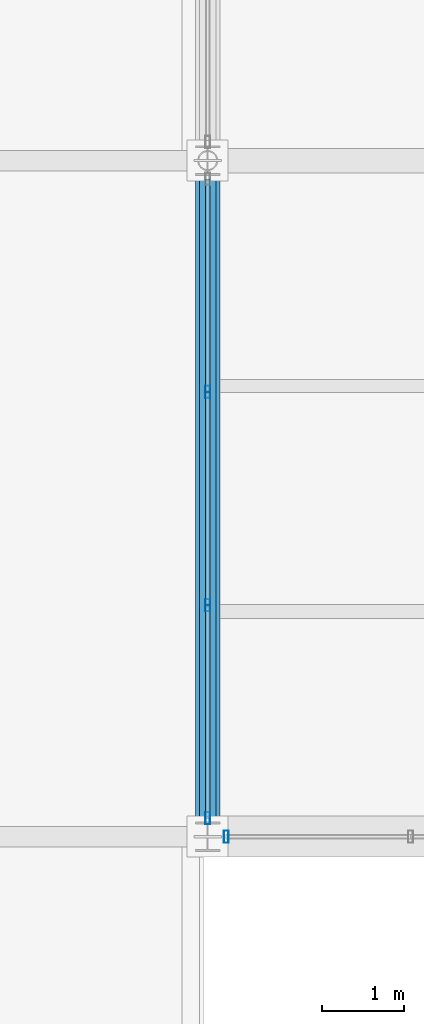
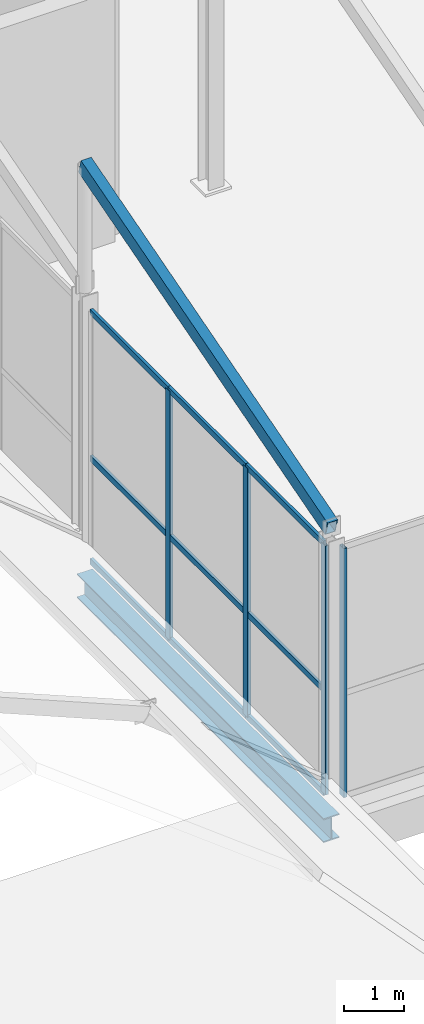
# One storey, part 14 of 141: 14 members, 1 beam, 2 elements without a shape of their own.
"""IFC4 building model written with IfcOpenShell, lengths in metres."""

from ifc_helpers import new_model, si_unit, direction, frame, origin, origin_2d, place, context, subcontext, project, spatial, hollow_rectangle, i_section, extrude, material, layer, layer_set, material_profile, profile_set, type_object, element, aggregate, save


model = new_model("IFC4")

# Units and contexts
model_context = context("Model", 3, precision=1e-05, world=origin(), true_north=direction((0.0, 1.0)))
body_context = subcontext(model_context, "Body", "Model", "MODEL_VIEW")
ifc_project = project(units=[si_unit("LENGTHUNIT", "METRE"), si_unit("AREAUNIT", "SQUARE_METRE"), si_unit("VOLUMEUNIT", "CUBIC_METRE"), si_unit("PLANEANGLEUNIT", "RADIAN"), si_unit("MASSUNIT", "GRAM", prefix="KILO")], contexts=[model_context])

# Site, building, storey
site_placement = place(None, origin())
site = spatial("IfcSite", under=ifc_project, at=site_placement, CompositionType="ELEMENT")
building_placement = place(site_placement, origin())
building = spatial("IfcBuilding", under=site, at=building_placement, Name="Sundgate Opera House", CompositionType="ELEMENT")
storey_placement = place(building_placement, frame((0.0, 0.0, 11.39990234375)))
storey = spatial("IfcBuildingStorey", under=building, at=storey_placement, Name="L02", CompositionType="ELEMENT", Elevation=11.39990234375)

# Beam
ifc_material_1 = material(Name="Steel S355J2", Category="steel")
ifc_material_profile_1 = material_profile(ifc_material_1, i_section(OverallWidth=0.300048828125, OverallDepth=0.489990234375, WebThickness=0.011962890625, FlangeThickness=0.02294921875, at=origin_2d()), Name="HEA 500")
ifc_profile_set_1 = profile_set([ifc_material_profile_1], Name="Steel S355J2")
beam_type = type_object("IfcBeamType", Name="BM-GR-HEA500", PredefinedType="BEAM", material=ifc_profile_set_1)
beam_placement = place(storey_placement, frame((95.39990234375, 8.25, -0.594970703125), z_axis=(0.0, 1.0, 0.0), x_axis=(-1.0, 0.0, 0.0)))
element("IfcBeam", 1, at=beam_placement, inside=storey, type_object=beam_type, Name="L02 Primary N-S Girder B1844", PredefinedType="BEAM", context=body_context, shape_type="SweptSolid", body=[
    extrude(i_section(OverallWidth=0.300048828125, OverallDepth=0.489990234375, WebThickness=0.011962890625, FlangeThickness=0.02294921875, at=origin_2d()), origin(), (0.0, 0.0, 1.0), 8.25),
])

# Curtain wall, member
ifc_material_2 = material(Name="Anodized aluminium and low-iron glass", Category="aluminium")
ifc_layer = layer(ifc_material_2, 0.14990234375)
ifc_layer_set = layer_set([ifc_layer], Name="Anodized aluminium and low-iron glass")
curtain_wall_type = type_object("IfcCurtainWallType", Name="CW-WORKSHOP-DARK", PredefinedType="NOTDEFINED", material=ifc_layer_set)
curtain_wall_1_placement = place(storey_placement, origin())
curtain_wall_1 = element("IfcCurtainWall", 2, at=curtain_wall_1_placement, inside=storey, type_object=curtain_wall_type, Name="L02 Curtain Wall CW154", PredefinedType="NOTDEFINED")
ifc_material_3 = material(Name="Anodized aluminium EN AW-6063", Category="aluminium")
ifc_material_profile_2 = material_profile(ifc_material_3, hollow_rectangle(XDim=0.06005859375, YDim=0.14990234375, WallThickness=0.00390625, at=origin_2d()), Name="CWM 150x60x4")
ifc_profile_set_2 = profile_set([ifc_material_profile_2], Name="Anodized aluminium EN AW-6063")
member_type_1 = type_object("IfcMemberType", Name="CWM-ALU-150x60", PredefinedType="MULLION", material=ifc_profile_set_2)
member_1_placement = place(storey_placement, frame((95.625, 8.25, 0.0), z_axis=(0.0, 0.0, 1.0), x_axis=(1.0, 0.0, 0.0)))
member_1 = element("IfcMember", 3, at=member_1_placement, type_object=member_type_1, Name="CW154 Mullion 4", PredefinedType="MULLION", context=body_context, shape_type="SweptSolid", body=[
    extrude(hollow_rectangle(XDim=0.06005859375, YDim=0.14990234375, WallThickness=0.00390625, at=origin_2d()), origin(), (0.0, 0.0, 1.0), 5.085205078125),
])
aggregate(curtain_wall_1, [member_1])

# Curtain wall, members
curtain_wall_2_placement = place(storey_placement, origin())
curtain_wall_2 = element("IfcCurtainWall", 4, at=curtain_wall_2_placement, inside=storey, type_object=curtain_wall_type, Name="L02 Curtain Wall CW162", PredefinedType="NOTDEFINED")
member_2_placement = place(storey_placement, frame((95.39990234375, 13.675048828125, 0.0), z_axis=(0.0, 0.0, 1.0), x_axis=(1.0, 0.0, 0.0)))
member_2 = element("IfcMember", 5, at=member_2_placement, type_object=member_type_1, Name="CW162 Mullion 2", PredefinedType="MULLION", context=body_context, shape_type="SweptSolid", body=[
    extrude(hollow_rectangle(XDim=0.06005859375, YDim=0.14990234375, WallThickness=0.00390625, at=origin_2d()), origin(), (0.0, 0.0, 1.0), 5.085205078125),
])
member_3_placement = place(storey_placement, frame((95.39990234375, 11.074951171875, 0.0), z_axis=(0.0, 0.0, 1.0), x_axis=(1.0, 0.0, 0.0)))
member_3 = element("IfcMember", 6, at=member_3_placement, type_object=member_type_1, Name="CW162 Mullion 3", PredefinedType="MULLION", context=body_context, shape_type="SweptSolid", body=[
    extrude(hollow_rectangle(XDim=0.06005859375, YDim=0.14990234375, WallThickness=0.00390625, at=origin_2d()), origin(), (0.0, 0.0, 1.0), 5.085205078125),
])
member_4_placement = place(storey_placement, frame((95.39990234375, 8.47509765625, 0.0), z_axis=(0.0, 0.0, 1.0), x_axis=(1.0, 0.0, 0.0)))
member_4 = element("IfcMember", 7, at=member_4_placement, type_object=member_type_1, Name="CW162 Mullion 4", PredefinedType="MULLION", context=body_context, shape_type="SweptSolid", body=[
    extrude(hollow_rectangle(XDim=0.06005859375, YDim=0.14990234375, WallThickness=0.00390625, at=origin_2d()), origin(), (0.0, 0.0, 1.0), 5.085205078125),
])
ifc_material_4 = material(Name="Anodized aluminium EN AW-6063", Category="aluminium")
ifc_material_profile_3 = material_profile(ifc_material_4, hollow_rectangle(XDim=0.054931640625, YDim=0.1201171875, WallThickness=0.00390625, at=origin_2d()), Name="CWT 120x55x4")
ifc_profile_set_3 = profile_set([ifc_material_profile_3], Name="Anodized aluminium EN AW-6063")
member_type_2 = type_object("IfcMemberType", Name="CWT-ALU-120x55", PredefinedType="USERDEFINED", material=ifc_profile_set_3)
member_5_placement = place(storey_placement, frame((95.39990234375, 16.27490234375, 0.0), z_axis=(0.0, -1.0, 0.0), x_axis=(1.0, 0.0, 0.0)))
member_5 = element("IfcMember", 8, at=member_5_placement, type_object=member_type_2, Name="CW162 Transom 1", ObjectType="TRANSOM", PredefinedType="USERDEFINED", context=body_context, shape_type="SweptSolid", body=[
    extrude(hollow_rectangle(XDim=0.054931640625, YDim=0.1201171875, WallThickness=0.00390625, at=origin_2d()), origin(), (0.0, 0.0, 1.0), 2.599853515625),
])
member_6_placement = place(storey_placement, frame((95.39990234375, 16.27490234375, 2.10009765625), z_axis=(0.0, -1.0, 0.0), x_axis=(1.0, 0.0, 0.0)))
member_6 = element("IfcMember", 9, at=member_6_placement, type_object=member_type_2, Name="CW162 Transom 2", ObjectType="TRANSOM", PredefinedType="USERDEFINED", context=body_context, shape_type="SweptSolid", body=[
    extrude(hollow_rectangle(XDim=0.054931640625, YDim=0.1201171875, WallThickness=0.00390625, at=origin_2d()), origin(), (0.0, 0.0, 1.0), 2.599853515625),
])
member_7_placement = place(storey_placement, frame((95.39990234375, 16.27490234375, 5.085205078125), z_axis=(0.0, -1.0, 0.0), x_axis=(1.0, 0.0, 0.0)))
member_7 = element("IfcMember", 10, at=member_7_placement, type_object=member_type_2, Name="CW162 Transom 3", ObjectType="TRANSOM", PredefinedType="USERDEFINED", context=body_context, shape_type="SweptSolid", body=[
    extrude(hollow_rectangle(XDim=0.054931640625, YDim=0.1201171875, WallThickness=0.00390625, at=origin_2d()), origin(), (0.0, 0.0, 1.0), 2.599853515625),
])
member_8_placement = place(storey_placement, frame((95.39990234375, 13.675048828125, 0.0), z_axis=(0.0, -1.0, 0.0), x_axis=(1.0, 0.0, 0.0)))
member_8 = element("IfcMember", 11, at=member_8_placement, type_object=member_type_2, Name="CW162 Transom 4", ObjectType="TRANSOM", PredefinedType="USERDEFINED", context=body_context, shape_type="SweptSolid", body=[
    extrude(hollow_rectangle(XDim=0.054931640625, YDim=0.1201171875, WallThickness=0.00390625, at=origin_2d()), origin(), (0.0, 0.0, 1.0), 2.60009765625),
])
member_9_placement = place(storey_placement, frame((95.39990234375, 13.675048828125, 2.10009765625), z_axis=(0.0, -1.0, 0.0), x_axis=(1.0, 0.0, 0.0)))
member_9 = element("IfcMember", 12, at=member_9_placement, type_object=member_type_2, Name="CW162 Transom 5", ObjectType="TRANSOM", PredefinedType="USERDEFINED", context=body_context, shape_type="SweptSolid", body=[
    extrude(hollow_rectangle(XDim=0.054931640625, YDim=0.1201171875, WallThickness=0.00390625, at=origin_2d()), origin(), (0.0, 0.0, 1.0), 2.60009765625),
])
member_10_placement = place(storey_placement, frame((95.39990234375, 13.675048828125, 5.085205078125), z_axis=(0.0, -1.0, 0.0), x_axis=(1.0, 0.0, 0.0)))
member_10 = element("IfcMember", 13, at=member_10_placement, type_object=member_type_2, Name="CW162 Transom 6", ObjectType="TRANSOM", PredefinedType="USERDEFINED", context=body_context, shape_type="SweptSolid", body=[
    extrude(hollow_rectangle(XDim=0.054931640625, YDim=0.1201171875, WallThickness=0.00390625, at=origin_2d()), origin(), (0.0, 0.0, 1.0), 2.60009765625),
])
member_11_placement = place(storey_placement, frame((95.39990234375, 11.074951171875, 0.0), z_axis=(0.0, -1.0, 0.0), x_axis=(1.0, 0.0, 0.0)))
member_11 = element("IfcMember", 14, at=member_11_placement, type_object=member_type_2, Name="CW162 Transom 7", ObjectType="TRANSOM", PredefinedType="USERDEFINED", context=body_context, shape_type="SweptSolid", body=[
    extrude(hollow_rectangle(XDim=0.054931640625, YDim=0.1201171875, WallThickness=0.00390625, at=origin_2d()), origin(), (0.0, 0.0, 1.0), 2.599853515625),
])
member_12_placement = place(storey_placement, frame((95.39990234375, 11.074951171875, 2.10009765625), z_axis=(0.0, -1.0, 0.0), x_axis=(1.0, 0.0, 0.0)))
member_12 = element("IfcMember", 15, at=member_12_placement, type_object=member_type_2, Name="CW162 Transom 8", ObjectType="TRANSOM", PredefinedType="USERDEFINED", context=body_context, shape_type="SweptSolid", body=[
    extrude(hollow_rectangle(XDim=0.054931640625, YDim=0.1201171875, WallThickness=0.00390625, at=origin_2d()), origin(), (0.0, 0.0, 1.0), 2.599853515625),
])
member_13_placement = place(storey_placement, frame((95.39990234375, 11.074951171875, 5.085205078125), z_axis=(0.0, -1.0, 0.0), x_axis=(1.0, 0.0, 0.0)))
member_13 = element("IfcMember", 16, at=member_13_placement, type_object=member_type_2, Name="CW162 Transom 9", ObjectType="TRANSOM", PredefinedType="USERDEFINED", context=body_context, shape_type="SweptSolid", body=[
    extrude(hollow_rectangle(XDim=0.054931640625, YDim=0.1201171875, WallThickness=0.00390625, at=origin_2d()), origin(), (0.0, 0.0, 1.0), 2.599853515625),
])
aggregate(curtain_wall_2, [member_2, member_3, member_4, member_5, member_6, member_7, member_8, member_9, member_10, member_11, member_12, member_13])

# Member
ifc_material_5 = material(Name="Steel S355J2", Category="steel")
ifc_material_profile_4 = material_profile(ifc_material_5, hollow_rectangle(XDim=0.199951171875, YDim=0.300048828125, WallThickness=0.012451171875, at=origin_2d()), Name="RHS 300x200x12.5")
ifc_profile_set_4 = profile_set([ifc_material_profile_4], Name="Steel S355J2")
member_type_3 = type_object("IfcMemberType", Name="MB-CHORD-RHS300", PredefinedType="CHORD", material=ifc_profile_set_4)
member_14_placement = place(storey_placement, frame((95.39990234375, 8.25, 5.550048828125), z_axis=(0.0, 0.96019072379, 0.279345259398), x_axis=(-1.0, 0.0, 0.0)))
element("IfcMember", 17, at=member_14_placement, inside=storey, type_object=member_type_3, Name="L02 Sawtooth Rafter M0381", PredefinedType="CHORD", context=body_context, shape_type="SweptSolid", body=[
    extrude(hollow_rectangle(XDim=0.199951171875, YDim=0.300048828125, WallThickness=0.012451171875, at=origin_2d()), origin(), (0.0, 0.0, 1.0), 8.592041015625),
])

save(model, "model.ifc")
